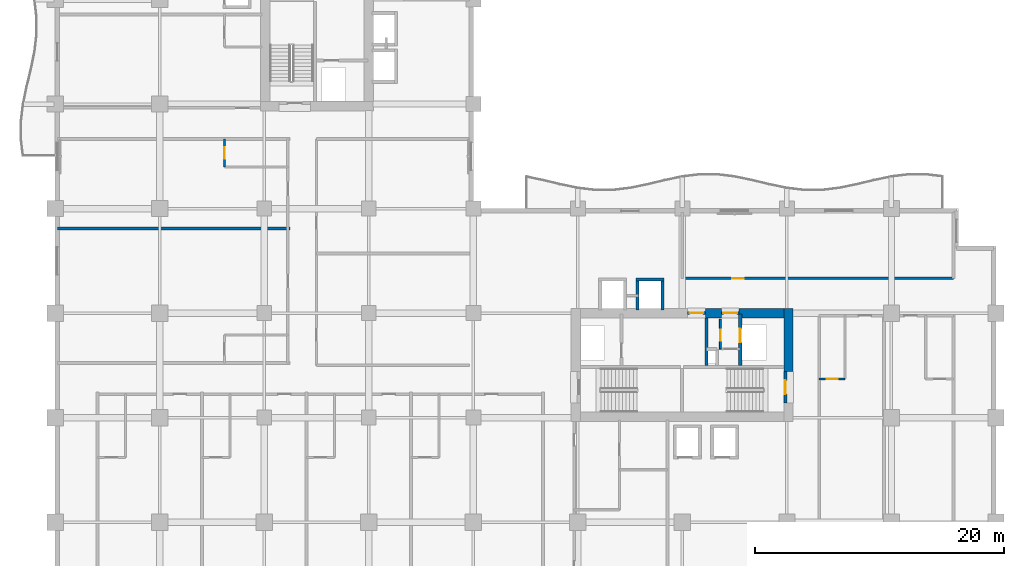
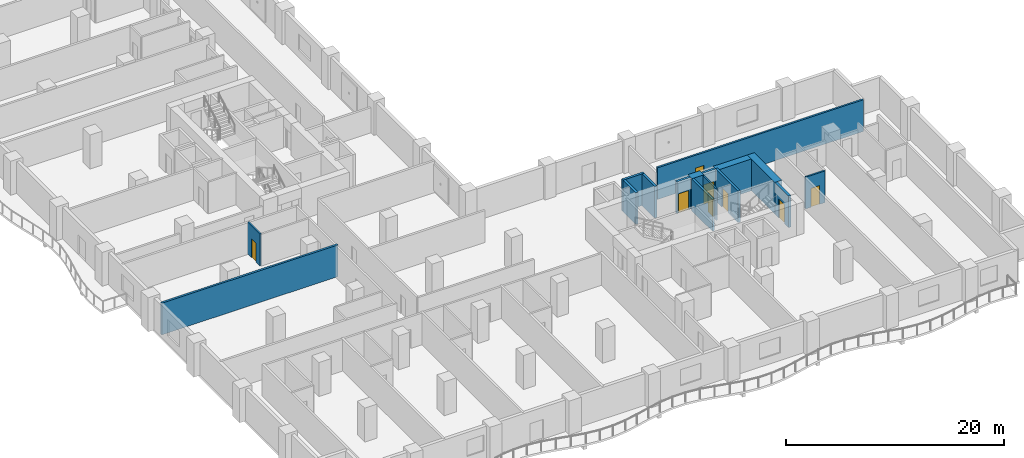
# One storey, part 6 of 18: 16 walls, 8 doors, 8 openings.
"""IFC4 building model written with IfcOpenShell, lengths in metres."""

from ifc_helpers import new_model, si_unit, direction, frame, frame_2d, origin, place, context, subcontext, project, spatial, rectangle, extrude, material, layer, layer_set, type_object, element, fill, save


model = new_model("IFC4")

# Units and contexts
model_context = context("Model", 3, precision=1e-05, world=origin(), true_north=direction((0.0, 1.0)))
body_context = subcontext(model_context, "Body", "Model", "MODEL_VIEW")
ifc_project = project(units=[si_unit("LENGTHUNIT", "METRE"), si_unit("AREAUNIT", "SQUARE_METRE"), si_unit("VOLUMEUNIT", "CUBIC_METRE"), si_unit("PLANEANGLEUNIT", "RADIAN"), si_unit("MASSUNIT", "GRAM", prefix="KILO")], contexts=[model_context])

# Site, building, storey
site_placement = place(None, origin())
site = spatial("IfcSite", under=ifc_project, at=site_placement, CompositionType="ELEMENT")
building_placement = place(site_placement, origin())
building = spatial("IfcBuilding", under=site, at=building_placement, Name="Koriwani Terraces Tower", CompositionType="ELEMENT")
storey_placement = place(building_placement, frame((0.0, 0.0, 107.60009765625)))
storey = spatial("IfcBuildingStorey", under=building, at=storey_placement, Name="L25", CompositionType="ELEMENT", Elevation=107.60009765625)

# Walls
ifc_material_1 = material(Name="Concrete C60/75", Category="concrete")
ifc_layer_1 = layer(ifc_material_1, 0.75, Name="Concrete C60/75")
ifc_layer_set_1 = layer_set([ifc_layer_1], Name="Concrete C60/75")
wall_type_1 = type_object("IfcWallType", Name="WALL_CORE_RC_750", PredefinedType="SHEAR", material=ifc_layer_set_1)
wall_1_placement = place(storey_placement, frame((58.925048828125, 20.5, 0.0), z_axis=(0.0, 0.0, 1.0), x_axis=(0.0, 1.0, 0.0)))
element("IfcWall", 1, at=wall_1_placement, inside=storey, type_object=wall_type_1, Name="L25 East Split Core Shear Wall E2", PredefinedType="SHEAR", context=body_context, shape_type="SweptSolid", body=[
    extrude(rectangle(XDim=5.074951171875, YDim=0.75, at=frame_2d((2.53759765625, 0.0))), origin(), (0.0, 0.0, 1.0), 3.5498046875),
])
wall_2_placement = place(storey_placement, frame((52.280029296875, 25.199951171875, 0.0), z_axis=(0.0, 0.0, 1.0), x_axis=(1.0, 0.0, 0.0)))
element("IfcWall", 2, at=wall_2_placement, inside=storey, type_object=wall_type_1, Name="L25 East Split Core Shear Wall N2", PredefinedType="SHEAR", context=body_context, shape_type="SweptSolid", body=[
    extrude(rectangle(XDim=1.27001953125, YDim=0.75, at=frame_2d((0.635009765625, 0.0))), origin(), (0.0, 0.0, 1.0), 3.5498046875),
])
wall_3_placement = place(storey_placement, frame((54.949951171875, 25.199951171875, 0.0), z_axis=(0.0, 0.0, 1.0), x_axis=(1.0, 0.0, 0.0)))
element("IfcWall", 3, at=wall_3_placement, inside=storey, type_object=wall_type_1, Name="L25 East Split Core Shear Wall N3", PredefinedType="SHEAR", context=body_context, shape_type="SweptSolid", body=[
    extrude(rectangle(XDim=3.60009765625, YDim=0.75, at=frame_2d((1.800048828125, 0.0))), origin(), (0.0, 0.0, 1.0), 3.5498046875),
])

# Wall, opening, door
ifc_material_2 = material(Name="Autoclaved Cellular Concrete Blockwork", Category="masonry")
ifc_layer_2 = layer(ifc_material_2, 0.199951171875, Name="Autoclaved Cellular Concrete Blockwork")
ifc_layer_set_2 = layer_set([ifc_layer_2], Name="Autoclaved Cellular Concrete Blockwork")
wall_type_2 = type_object("IfcWallType", Name="WALL_CORRIDOR_200", PredefinedType="PARTITIONING", material=ifc_layer_set_2)
wall_4_placement = place(storey_placement, frame((50.39990234375, 28.0, 0.0), z_axis=(0.0, 0.0, 1.0), x_axis=(1.0, 0.0, 0.0)))
wall_4 = element("IfcWall", 4, at=wall_4_placement, inside=storey, type_object=wall_type_2, Name="L25 Interior Wall WSEC-S-L25", PredefinedType="PARTITIONING", context=body_context, shape_type="SweptSolid", body=[
    extrude(rectangle(XDim=21.800048828125, YDim=0.199951171875, at=frame_2d((10.89990234375, 0.0))), origin(), (0.0, 0.0, 1.0), 3.5498046875),
])
opening_1_placement = place(wall_4_placement, frame((4.0, 0.0, 0.0)))
opening_1 = element("IfcOpeningElement", 5, at=opening_1_placement, cuts=wall_4, Name="Opening D-06", PredefinedType="OPENING", context=body_context, shape_type="SweptSolid", body=[
    extrude(rectangle(XDim=0.919921875, YDim=2.10009765625, at=frame_2d((0.4599609375, 1.050048828125))), frame((0.0, 0.10986328125, 0.0), z_axis=(0.0, -1.0, 0.0), x_axis=(1.0, 0.0, 0.0)), (0.0, 0.0, 1.0), 0.219970703125),
])
ifc_material_3 = material(Name="Architectural Oak Fire Door", Category="wood")
door_type_1 = type_object("IfcDoorType", Name="DOOR_ROOM_INT_920X2100", OperationType="NOTDEFINED", PredefinedType="DOOR", material=ifc_material_3)
door_1_placement = place(opening_1_placement, origin())
door_1 = element("IfcDoor", 6, at=door_1_placement, inside=storey, type_object=door_type_1, Name="L25 East Court Study Door", OperationType="SINGLE_SWING_LEFT", OverallHeight=2.10009765625, OverallWidth=0.919921875, PredefinedType="DOOR", context=body_context, shape_type="SweptSolid", body=[
    extrude(rectangle(XDim=0.919921875, YDim=2.10009765625, at=frame_2d((0.4599609375, 1.050048828125))), frame((0.0, 0.02490234375, 0.0), z_axis=(0.0, -1.0, 0.0), x_axis=(1.0, 0.0, 0.0)), (0.0, 0.0, 1.0), 0.050048828125),
])
fill(opening_1, door_1)

# Wall
ifc_layer_3 = layer(ifc_material_2, 0.219970703125, Name="Autoclaved Cellular Concrete Blockwork")
ifc_layer_set_3 = layer_set([ifc_layer_3], Name="Autoclaved Cellular Concrete Blockwork")
wall_type_3 = type_object("IfcWallType", Name="WALL_DEMISING_220", PredefinedType="PARTITIONING", material=ifc_layer_set_3)
wall_5_placement = place(storey_placement, frame((0.199951171875, 32.0, 0.0), z_axis=(0.0, 0.0, 1.0), x_axis=(1.0, 0.0, 0.0)))
element("IfcWall", 7, at=wall_5_placement, inside=storey, type_object=wall_type_3, Name="L25 Interior Wall WDEM-L25-NW-1", PredefinedType="PARTITIONING", context=body_context, shape_type="SweptSolid", body=[
    extrude(rectangle(XDim=18.679931640625, YDim=0.219970703125, at=frame_2d((9.33984375, 0.0))), origin(), (0.0, 0.0, 1.0), 3.5498046875),
])

# Wall, opening, door
ifc_material_4 = material(Name="Fire-Rated Acoustic Gypsum Partition", Category="masonry")
ifc_layer_4 = layer(ifc_material_4, 0.179931640625, Name="Fire-Rated Acoustic Gypsum Partition")
ifc_layer_set_4 = layer_set([ifc_layer_4], Name="Fire-Rated Acoustic Gypsum Partition")
wall_type_4 = type_object("IfcWallType", Name="WALL_PLUMBING_180", PredefinedType="PLUMBINGWALL", material=ifc_layer_set_4)
wall_6_placement = place(storey_placement, frame((13.60009765625, 36.949951171875, 0.0), z_axis=(0.0, 0.0, 1.0), x_axis=(0.0, 1.0, 0.0)))
wall_6 = element("IfcWall", 8, at=wall_6_placement, inside=storey, type_object=wall_type_4, Name="L25 Interior Wall WBTH1-L25-NW-1", PredefinedType="PLUMBINGWALL", context=body_context, shape_type="SweptSolid", body=[
    extrude(rectangle(XDim=2.25, YDim=0.179931640625, at=frame_2d((1.125, 0.0))), origin(), (0.0, 0.0, 1.0), 3.5498046875),
])
opening_2_placement = place(wall_6_placement, frame((0.675048828125, 0.0, 0.0)))
opening_2 = element("IfcOpeningElement", 9, at=opening_2_placement, cuts=wall_6, Name="Opening D-07", PredefinedType="OPENING", context=body_context, shape_type="SweptSolid", body=[
    extrude(rectangle(XDim=0.89990234375, YDim=2.10009765625, at=frame_2d((0.449951171875, 1.050048828125))), frame((0.0, 0.10009765625, 0.0), z_axis=(0.0, -1.0, 0.0), x_axis=(1.0, 0.0, 0.0)), (0.0, 0.0, 1.0), 0.199951171875),
])
door_type_2 = type_object("IfcDoorType", Name="DOOR_BATH_INT_900X2100", OperationType="NOTDEFINED", PredefinedType="DOOR", material=ifc_material_3)
door_2_placement = place(opening_2_placement, origin())
door_2 = element("IfcDoor", 10, at=door_2_placement, inside=storey, type_object=door_type_2, Name="En-Suite Bathroom 25NW2 Door", OperationType="SINGLE_SWING_LEFT", OverallHeight=2.10009765625, OverallWidth=0.89990234375, PredefinedType="DOOR", context=body_context, shape_type="SweptSolid", body=[
    extrude(rectangle(XDim=0.89990234375, YDim=2.10009765625, at=frame_2d((0.449951171875, 1.050048828125))), frame((0.0, 0.02490234375, 0.0), z_axis=(0.0, -1.0, 0.0), x_axis=(1.0, 0.0, 0.0)), (0.0, 0.0, 1.0), 0.050048828125),
])
fill(opening_2, door_2)

wall_7_placement = place(storey_placement, frame((61.39990234375, 19.89990234375, 0.0), z_axis=(0.0, 0.0, 1.0), x_axis=(1.0, 0.0, 0.0)))
wall_7 = element("IfcWall", 11, at=wall_7_placement, inside=storey, type_object=wall_type_4, Name="L25 Interior Wall WBTH1-L25-SE-0", PredefinedType="PLUMBINGWALL", context=body_context, shape_type="SweptSolid", body=[
    extrude(rectangle(XDim=2.080078125, YDim=0.179931640625, at=frame_2d((1.0400390625, 0.0))), origin(), (0.0, 0.0, 1.0), 3.5498046875),
])
opening_3_placement = place(wall_7_placement, frame((0.590087890625, 0.0, 0.0)))
opening_3 = element("IfcOpeningElement", 12, at=opening_3_placement, cuts=wall_7, Name="Opening D-07", PredefinedType="OPENING", context=body_context, shape_type="SweptSolid", body=[
    extrude(rectangle(XDim=0.89990234375, YDim=2.10009765625, at=frame_2d((0.449951171875, 1.050048828125))), frame((0.0, 0.10009765625, 0.0), z_axis=(0.0, -1.0, 0.0), x_axis=(1.0, 0.0, 0.0)), (0.0, 0.0, 1.0), 0.199951171875),
])
door_3_placement = place(opening_3_placement, origin())
door_3 = element("IfcDoor", 13, at=door_3_placement, inside=storey, type_object=door_type_2, Name="En-Suite Bathroom 25SE1 Door", OperationType="SINGLE_SWING_RIGHT", OverallHeight=2.10009765625, OverallWidth=0.89990234375, PredefinedType="DOOR", context=body_context, shape_type="SweptSolid", body=[
    extrude(rectangle(XDim=0.89990234375, YDim=2.10009765625, at=frame_2d((0.449951171875, 1.050048828125))), frame((0.0, 0.02490234375, 0.0), z_axis=(0.0, -1.0, 0.0), x_axis=(1.0, 0.0, 0.0)), (0.0, 0.0, 1.0), 0.050048828125),
])
fill(opening_3, door_3)

ifc_material_5 = material(Name="Concrete C40/50", Category="concrete")
ifc_layer_5 = layer(ifc_material_5, 0.25, Name="Concrete C40/50")
ifc_layer_set_5 = layer_set([ifc_layer_5], Name="Concrete C40/50")
wall_type_5 = type_object("IfcWallType", Name="WALL_SHAFT_RATED_250", PredefinedType="SOLIDWALL", material=ifc_layer_set_5)
wall_8_placement = place(storey_placement, frame((58.675048828125, 18.0, 0.0), z_axis=(0.0, 0.0, 1.0), x_axis=(0.0, 1.0, 0.0)))
wall_8 = element("IfcWall", 14, at=wall_8_placement, inside=storey, type_object=wall_type_5, Name="L25 Interior Wall WIN-CE-L25-STE", PredefinedType="SOLIDWALL", context=body_context, shape_type="SweptSolid", body=[
    extrude(rectangle(XDim=2.5, YDim=0.25, at=frame_2d((1.25, 0.0))), origin(), (0.0, 0.0, 1.0), 3.5498046875),
])
opening_4_placement = place(wall_8_placement, frame((0.699951171875, 0.0, 0.0)))
opening_4 = element("IfcOpeningElement", 15, at=opening_4_placement, cuts=wall_8, Name="Opening D-03", PredefinedType="OPENING", context=body_context, shape_type="SweptSolid", body=[
    extrude(rectangle(XDim=1.10009765625, YDim=2.14990234375, at=frame_2d((0.550048828125, 1.074951171875))), frame((0.0, 0.135009765625, 0.0), z_axis=(0.0, -1.0, 0.0), x_axis=(1.0, 0.0, 0.0)), (0.0, 0.0, 1.0), 0.27001953125),
])
ifc_material_6 = material(Name="Steel ASTM A572 Grade 50", Category="steel")
door_type_3 = type_object("IfcDoorType", Name="DOOR_STAIR_FIRE_1100X2150", OperationType="NOTDEFINED", PredefinedType="DOOR", material=ifc_material_6)
door_4_placement = place(opening_4_placement, origin())
door_4 = element("IfcDoor", 16, at=door_4_placement, inside=storey, type_object=door_type_3, Name="L25 Exit Stair ST-E2 Door", OperationType="SINGLE_SWING_RIGHT", OverallHeight=2.14990234375, OverallWidth=1.10009765625, PredefinedType="DOOR", context=body_context, shape_type="SweptSolid", body=[
    extrude(rectangle(XDim=1.10009765625, YDim=2.14990234375, at=frame_2d((0.550048828125, 1.074951171875))), frame((0.0, 0.02490234375, 0.0), z_axis=(0.0, -1.0, 0.0), x_axis=(1.0, 0.0, 0.0)), (0.0, 0.0, 1.0), 0.050048828125),
])
fill(opening_4, door_4)

wall_9_placement = place(storey_placement, frame((50.800048828125, 25.199951171875, 0.0), z_axis=(0.0, 0.0, 1.0), x_axis=(1.0, 0.0, 0.0)))
wall_9 = element("IfcWall", 17, at=wall_9_placement, inside=storey, type_object=wall_type_5, Name="L25 Interior Wall WIN-CE-L25-NP", PredefinedType="SOLIDWALL", context=body_context, shape_type="SweptSolid", body=[
    extrude(rectangle(XDim=1.47998046875, YDim=0.25, at=frame_2d((0.739990234375, 0.0))), origin(), (0.0, 0.0, 1.0), 3.5498046875),
])
opening_5_placement = place(wall_9_placement, frame((0.179931640625, 0.0, 0.0)))
opening_5 = element("IfcOpeningElement", 18, at=opening_5_placement, cuts=wall_9, Name="Opening D-03", PredefinedType="OPENING", context=body_context, shape_type="SweptSolid", body=[
    extrude(rectangle(XDim=1.10009765625, YDim=2.14990234375, at=frame_2d((0.550048828125, 1.074951171875))), frame((0.0, 0.135009765625, 0.0), z_axis=(0.0, -1.0, 0.0), x_axis=(1.0, 0.0, 0.0)), (0.0, 0.0, 1.0), 0.27001953125),
])
door_5_placement = place(opening_5_placement, origin())
door_5 = element("IfcDoor", 19, at=door_5_placement, inside=storey, type_object=door_type_3, Name="L25 East Firefighting Lobby Door", OperationType="SINGLE_SWING_LEFT", OverallHeight=2.14990234375, OverallWidth=1.10009765625, PredefinedType="DOOR", context=body_context, shape_type="SweptSolid", body=[
    extrude(rectangle(XDim=1.10009765625, YDim=2.14990234375, at=frame_2d((0.550048828125, 1.074951171875))), frame((0.0, 0.02490234375, 0.0), z_axis=(0.0, -1.0, 0.0), x_axis=(1.0, 0.0, 0.0)), (0.0, 0.0, 1.0), 0.050048828125),
])
fill(opening_5, door_5)

# Wall
wall_10_placement = place(storey_placement, frame((52.340087890625, 21.0, 0.0), z_axis=(0.0, 0.0, 1.0), x_axis=(0.0, 1.0, 0.0)))
element("IfcWall", 20, at=wall_10_placement, inside=storey, type_object=wall_type_5, Name="L25 Interior Wall WIN-CE-L25-FFE", PredefinedType="SOLIDWALL", context=body_context, shape_type="SweptSolid", body=[
    extrude(rectangle(XDim=3.824951171875, YDim=0.25, at=frame_2d((1.91259765625, 0.0))), origin(), (0.0, 0.0, 1.0), 3.5498046875),
])

# Wall, opening, door
wall_11_placement = place(storey_placement, frame((55.050048828125, 21.0, 0.0), z_axis=(0.0, 0.0, 1.0), x_axis=(0.0, 1.0, 0.0)))
wall_11 = element("IfcWall", 21, at=wall_11_placement, inside=storey, type_object=wall_type_5, Name="L25 Interior Wall WIN-CE-L25-SE", PredefinedType="SOLIDWALL", context=body_context, shape_type="SweptSolid", body=[
    extrude(rectangle(XDim=4.14990234375, YDim=0.25, at=frame_2d((2.074951171875, 0.0))), origin(), (0.0, 0.0, 1.0), 3.5498046875),
])
opening_6_placement = place(wall_11_placement, frame((1.85009765625, 0.0, 0.0)))
opening_6 = element("IfcOpeningElement", 22, at=opening_6_placement, cuts=wall_11, Name="Opening LD-01", PredefinedType="OPENING", context=body_context, shape_type="SweptSolid", body=[
    extrude(rectangle(XDim=1.10009765625, YDim=2.14990234375, at=frame_2d((0.550048828125, 1.074951171875))), frame((0.0, 0.135009765625, 0.0), z_axis=(0.0, -1.0, 0.0), x_axis=(1.0, 0.0, 0.0)), (0.0, 0.0, 1.0), 0.27001953125),
])
door_type_4 = type_object("IfcDoorType", Name="DOOR_LIFT_LANDING_1100X2200", OperationType="NOTDEFINED", PredefinedType="DOOR", material=ifc_material_6)
door_6_placement = place(opening_6_placement, origin())
door_6 = element("IfcDoor", 23, at=door_6_placement, inside=storey, type_object=door_type_4, Name="L25 Goods Lift SE-02 Landing Door", OperationType="SLIDING_TO_LEFT", OverallHeight=2.14990234375, OverallWidth=1.10009765625, PredefinedType="DOOR", context=body_context, shape_type="SweptSolid", body=[
    extrude(rectangle(XDim=1.10009765625, YDim=2.14990234375, at=frame_2d((0.550048828125, 1.074951171875))), frame((0.0, 0.02490234375, 0.0), z_axis=(0.0, -1.0, 0.0), x_axis=(1.0, 0.0, 0.0)), (0.0, 0.0, 1.0), 0.050048828125),
])
fill(opening_6, door_6)

wall_12_placement = place(storey_placement, frame((53.550048828125, 25.199951171875, 0.0), z_axis=(0.0, 0.0, 1.0), x_axis=(1.0, 0.0, 0.0)))
wall_12 = element("IfcWall", 24, at=wall_12_placement, inside=storey, type_object=wall_type_5, Name="L25 Interior Wall WIN-CE-L25-NP2", PredefinedType="SOLIDWALL", context=body_context, shape_type="SweptSolid", body=[
    extrude(rectangle(XDim=1.39990234375, YDim=0.25, at=frame_2d((0.699951171875, 0.0))), origin(), (0.0, 0.0, 1.0), 3.5498046875),
])
opening_7_placement = place(wall_12_placement, frame((0.14990234375, 0.0, 0.0)))
opening_7 = element("IfcOpeningElement", 25, at=opening_7_placement, cuts=wall_12, Name="Opening D-03", PredefinedType="OPENING", context=body_context, shape_type="SweptSolid", body=[
    extrude(rectangle(XDim=1.10009765625, YDim=2.14990234375, at=frame_2d((0.550048828125, 1.074951171875))), frame((0.0, 0.135009765625, 0.0), z_axis=(0.0, -1.0, 0.0), x_axis=(1.0, 0.0, 0.0)), (0.0, 0.0, 1.0), 0.27001953125),
])
door_7_placement = place(opening_7_placement, origin())
door_7 = element("IfcDoor", 26, at=door_7_placement, inside=storey, type_object=door_type_3, Name="L25 East Goods Lift Lobby Door", OperationType="SINGLE_SWING_RIGHT", OverallHeight=2.14990234375, OverallWidth=1.10009765625, PredefinedType="DOOR", context=body_context, shape_type="SweptSolid", body=[
    extrude(rectangle(XDim=1.10009765625, YDim=2.14990234375, at=frame_2d((0.550048828125, 1.074951171875))), frame((0.0, 0.02490234375, 0.0), z_axis=(0.0, -1.0, 0.0), x_axis=(1.0, 0.0, 0.0)), (0.0, 0.0, 1.0), 0.050048828125),
])
fill(opening_7, door_7)

# Walls
wall_13_placement = place(storey_placement, frame((46.675048828125, 27.89990234375, 0.0), z_axis=(0.0, 0.0, 1.0), x_axis=(1.0, 0.0, 0.0)))
element("IfcWall", 27, at=wall_13_placement, inside=storey, type_object=wall_type_5, Name="L25 Interior Wall WIN-LF-PE-H4-L25-F", PredefinedType="SOLIDWALL", context=body_context, shape_type="SweptSolid", body=[
    extrude(rectangle(XDim=2.25, YDim=0.25, at=frame_2d((1.125, 0.0))), origin(), (0.0, 0.0, 1.0), 3.5498046875),
])
for number, where, z_axis, x_axis, name in (
    (28, (46.800048828125, 25.449951171875, 0.0), (0.0, 0.0, 1.0), (0.0, 1.0, 0.0), "L25 Interior Wall WIN-LF-PE-H4-L25-W"),
    (29, (48.800048828125, 25.449951171875, 0.0), (0.0, 0.0, 1.0), (0.0, 1.0, 0.0), "L25 Interior Wall WIN-LF-PE-H4-L25-E"),
):
    element("IfcWall", number, at=place(storey_placement, frame(where, z_axis=z_axis, x_axis=x_axis)), inside=storey, type_object=wall_type_5, Name=name, PredefinedType="SOLIDWALL", context=body_context, shape_type="SweptSolid", body=[
        extrude(rectangle(XDim=2.324951171875, YDim=0.25, at=frame_2d((1.16259765625, 0.0))), origin(), (0.0, 0.0, 1.0), 3.5498046875),
    ])

# Wall, opening, door
ifc_layer_6 = layer(ifc_material_4, 0.159912109375, Name="Fire-Rated Acoustic Gypsum Partition")
ifc_layer_set_6 = layer_set([ifc_layer_6], Name="Fire-Rated Acoustic Gypsum Partition")
wall_type_6 = type_object("IfcWallType", Name="WALL_SUITE_160", PredefinedType="PARTITIONING", material=ifc_layer_set_6)
wall_14_placement = place(storey_placement, frame((53.4599609375, 22.320068359375, 0.0), z_axis=(0.0, 0.0, 1.0), x_axis=(0.0, 1.0, 0.0)))
wall_14 = element("IfcWall", 30, at=wall_14_placement, inside=storey, type_object=wall_type_6, Name="L25 Interior Wall WIN-CE-L25-SV1B", PredefinedType="PARTITIONING", context=body_context, shape_type="SweptSolid", body=[
    extrude(rectangle(XDim=2.39990234375, YDim=0.159912109375, at=frame_2d((1.199951171875, 0.0))), origin(), (0.0, 0.0, 1.0), 3.5498046875),
])
opening_8_placement = place(wall_14_placement, frame((0.64990234375, 0.0, 0.0)))
opening_8 = element("IfcOpeningElement", 31, at=opening_8_placement, cuts=wall_14, Name="Opening D-07", PredefinedType="OPENING", context=body_context, shape_type="SweptSolid", body=[
    extrude(rectangle(XDim=0.89990234375, YDim=2.10009765625, at=frame_2d((0.449951171875, 1.050048828125))), frame((0.0, 0.08984375, 0.0), z_axis=(0.0, -1.0, 0.0), x_axis=(1.0, 0.0, 0.0)), (0.0, 0.0, 1.0), 0.179931640625),
])
door_8_placement = place(opening_8_placement, origin())
door_8 = element("IfcDoor", 32, at=door_8_placement, inside=storey, type_object=door_type_2, Name="L25 East Cleaners Closet Door", OperationType="SINGLE_SWING_RIGHT", OverallHeight=2.10009765625, OverallWidth=0.89990234375, PredefinedType="DOOR", context=body_context, shape_type="SweptSolid", body=[
    extrude(rectangle(XDim=0.89990234375, YDim=2.10009765625, at=frame_2d((0.449951171875, 1.050048828125))), frame((0.0, 0.02490234375, 0.0), z_axis=(0.0, -1.0, 0.0), x_axis=(1.0, 0.0, 0.0)), (0.0, 0.0, 1.0), 0.050048828125),
])
fill(opening_8, door_8)

save(model, "model.ifc")
